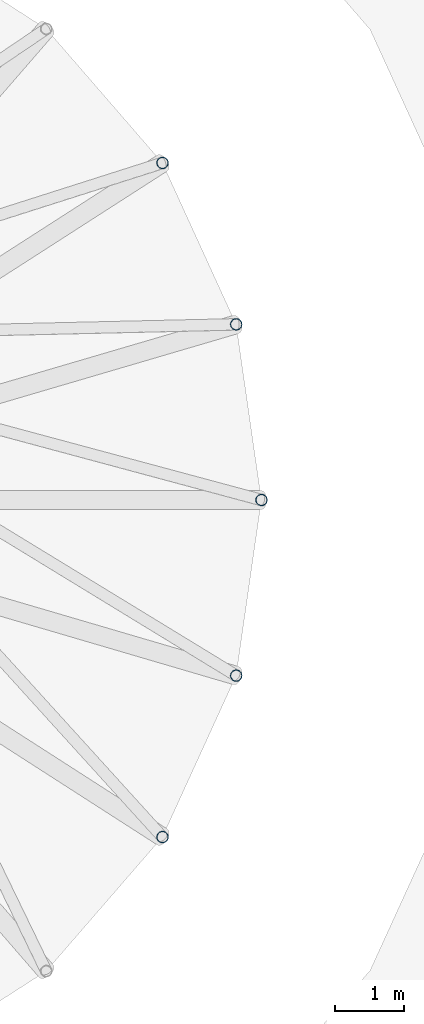
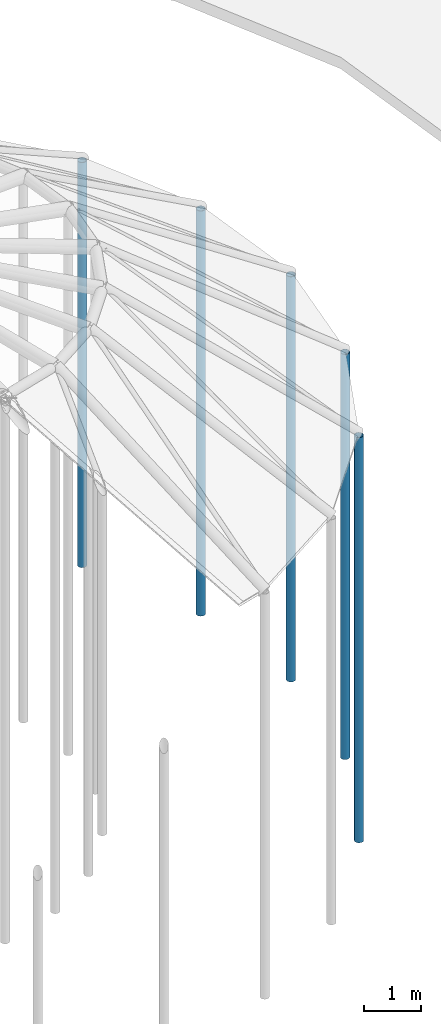
# One storey, part 5 of 8: 5 members.
"""IFC4 building model written with IfcOpenShell, lengths in metres."""

from ifc_helpers import new_model, si_unit, direction, frame, origin, origin_2d, place, context, subcontext, project, spatial, hollow_circle, extrude, material, material_profile, profile_set, type_object, element, save


model = new_model("IFC4")

# Units and contexts
model_context = context("Model", 3, precision=1e-05, world=origin(), true_north=direction((0.0, 1.0)))
body_context = subcontext(model_context, "Body", "Model", "MODEL_VIEW")
ifc_project = project(units=[si_unit("LENGTHUNIT", "METRE"), si_unit("AREAUNIT", "SQUARE_METRE"), si_unit("VOLUMEUNIT", "CUBIC_METRE"), si_unit("PLANEANGLEUNIT", "RADIAN"), si_unit("MASSUNIT", "GRAM", prefix="KILO")], contexts=[model_context])

# Site, building, storey
site_placement = place(None, origin())
site = spatial("IfcSite", under=ifc_project, at=site_placement, CompositionType="ELEMENT")
building_placement = place(site_placement, origin())
building = spatial("IfcBuilding", under=site, at=building_placement, Name="Pelvatis Terrace Science Centre", CompositionType="ELEMENT")
storey_placement = place(building_placement, frame((0.0, 0.0, 28.800048828125)))
storey = spatial("IfcBuildingStorey", under=building, at=storey_placement, Name="RF", CompositionType="ELEMENT", Elevation=28.800048828125)

# Members
ifc_material = material(Name="Structural steel S355", Category="steel")
ifc_material_profile = material_profile(ifc_material, hollow_circle(Radius=0.084228515625, WallThickness=0.00634765625, at=origin_2d()), Name="CHS 168.3x6.3")
ifc_profile_set = profile_set([ifc_material_profile], Name="Structural steel S355")
member_type = type_object("IfcMemberType", Name="MEM-STR-CHS168", PredefinedType="STRUT", material=ifc_profile_set)
for number, where, z_axis, x_axis, name in (
    (1, (118.263671875, 85.800048828125, -10.199951171875), (0.0, 0.0, 1.0), (1.0, 0.0, 0.0), "Dome arch vertical web post 2.01"),
    (2, (117.896484375, 88.353515625, -10.199951171875), (0.0, 0.0, 1.0), (1.0, 0.0, 0.0), "Dome arch vertical web post 2.02"),
    (3, (116.824951171875, 90.7001953125, -10.199951171875), (0.0, 0.0, 1.0), (1.0, 0.0, 0.0), "Dome arch vertical web post 2.03"),
    (4, (116.824951171875, 80.89990234375, -10.199951171875), (0.0, 0.0, 1.0), (1.0, 0.0, 0.0), "Dome arch vertical web post 2.21"),
    (5, (117.896484375, 83.24658203125, -10.199951171875), (0.0, 0.0, 1.0), (1.0, 0.0, 0.0), "Dome arch vertical web post 2.22"),
):
    element("IfcMember", number, at=place(storey_placement, frame(where, z_axis=z_axis, x_axis=x_axis)), inside=storey, type_object=member_type, Name=name, PredefinedType="STRUT", context=body_context, shape_type="SweptSolid", body=[
        extrude(hollow_circle(Radius=0.084228515625, WallThickness=0.00634765625, at=origin_2d()), origin(), (0.0, 0.0, 1.0), 8.752685546875),
    ])

save(model, "model.ifc")
